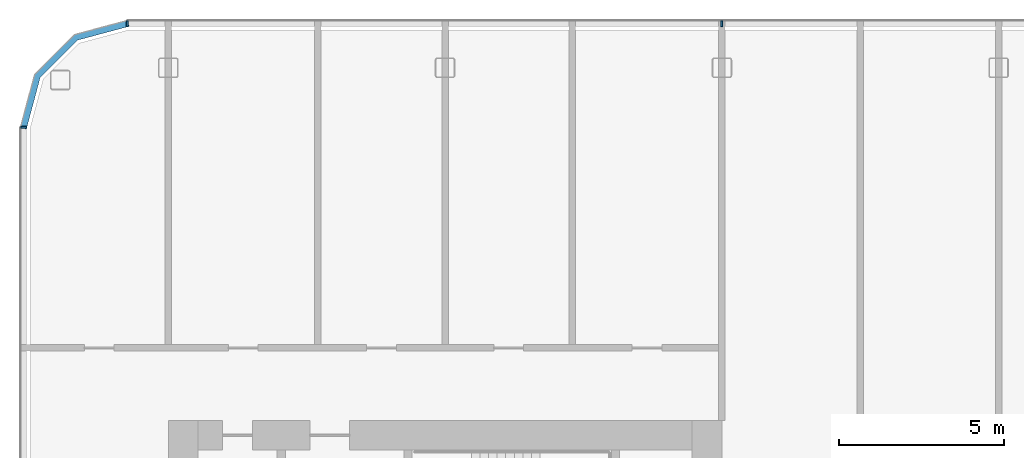
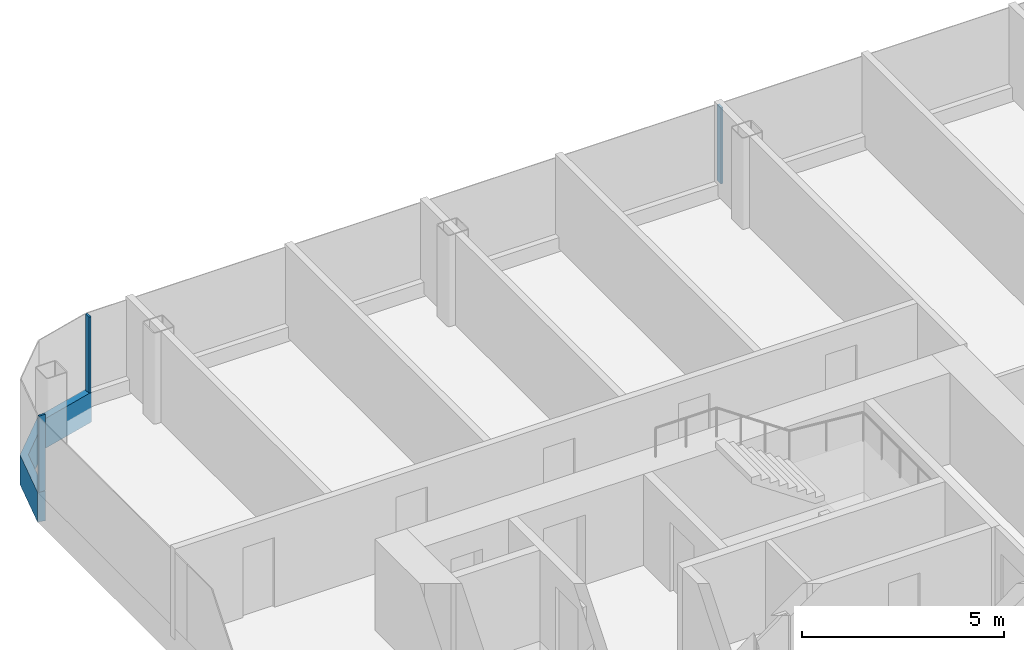
# One storey, part 6 of 26: 4 members, 3 elements without a shape of their own.
"""IFC4 building model written with IfcOpenShell, lengths in metres."""

from ifc_helpers import new_model, si_unit, direction, frame, origin, origin_2d, place, context, subcontext, project, spatial, polyline, rectangle, outline, extrude, material, layer, layer_set, material_profile, profile_set, type_object, element, aggregate, save


model = new_model("IFC4")

# Units and contexts
model_context = context("Model", 3, precision=1e-05, world=origin(), true_north=direction((0.0, 1.0)))
body_context = subcontext(model_context, "Body", "Model", "MODEL_VIEW")
ifc_project = project(units=[si_unit("LENGTHUNIT", "METRE"), si_unit("AREAUNIT", "SQUARE_METRE"), si_unit("VOLUMEUNIT", "CUBIC_METRE"), si_unit("PLANEANGLEUNIT", "RADIAN"), si_unit("MASSUNIT", "GRAM", prefix="KILO")], contexts=[model_context])

# Site, building, storey
site_placement = place(None, origin())
site = spatial("IfcSite", under=ifc_project, at=site_placement, CompositionType="ELEMENT")
building_placement = place(site_placement, origin())
building = spatial("IfcBuilding", under=site, at=building_placement, Name="Hakoniwa Tower and Hamabe Station Hall", CompositionType="ELEMENT")
storey_placement = place(building_placement, frame((0.0, 0.0, 212.199951171875)))
storey = spatial("IfcBuildingStorey", under=building, at=storey_placement, Name="L60", CompositionType="ELEMENT", Elevation=212.199951171875)

# Curtain wall, member
ifc_material_1 = material(Name="Dark low-e laminated glass", Category="glass")
ifc_layer = layer(ifc_material_1, 0.199951171875)
ifc_layer_set = layer_set([ifc_layer], Name="CW-1 UNITISED GUEST")
curtain_wall_type = type_object("IfcCurtainWallType", Name="CW-1 UNITISED GUEST", PredefinedType="NOTDEFINED", material=ifc_layer_set)
curtain_wall_1_placement = place(storey_placement, origin())
curtain_wall_1 = element("IfcCurtainWall", 1, at=curtain_wall_1_placement, inside=storey, type_object=curtain_wall_type, Name="CW-1 curtain wall", PredefinedType="NOTDEFINED")
ifc_material_2 = material(Name="Aluminium 6063-T5 black anodised", Category="aluminium")
ifc_material_profile_1 = material_profile(ifc_material_2, rectangle(XDim=0.199951171875, YDim=0.89990234375, at=origin_2d()), Name="CW SLAB-EDGE BAND 900X200")
ifc_profile_set_1 = profile_set([ifc_material_profile_1], Name="Aluminium 6063-T5 black anodised")
member_type_1 = type_object("IfcMemberType", Name="CW SLAB-EDGE BAND 900X200", PredefinedType="USERDEFINED", material=ifc_profile_set_1)
member_1_placement = place(storey_placement, frame((0.0, 0.0, -0.550048828125)))
member_1 = element("IfcMember", 2, at=member_1_placement, type_object=member_type_1, Name="CW-1 transom", ObjectType="TRANSOM", PredefinedType="USERDEFINED", context=body_context, shape_type="SweptSolid", body=[
    extrude(outline(polyline([(-34.839599609375, 20.550048828125), (-36.455322265625, 20.116943359375), (-37.6669921875, 18.9052734375), (-38.10009765625, 17.28955078125), (-37.90673828125, 17.23779296875), (-37.48779296875, 18.8017578125), (-36.351806640625, 19.937744140625), (-34.787841796875, 20.35693359375), (-34.839599609375, 20.550048828125)])), origin(), (0.0, 0.0, 1.0), 0.900146484375),
])
aggregate(curtain_wall_1, [member_1])

# Curtain wall, members
curtain_wall_2_placement = place(storey_placement, origin())
curtain_wall_2 = element("IfcCurtainWall", 3, at=curtain_wall_2_placement, inside=storey, type_object=curtain_wall_type, Name="CW-1 curtain wall", PredefinedType="NOTDEFINED")
ifc_material_3 = material(Name="Aluminium 6063-T5 black anodised", Category="aluminium")
ifc_material_profile_2 = material_profile(ifc_material_3, rectangle(XDim=0.06005859375, YDim=0.179931640625, at=origin_2d()), Name="CW-1 MULLION 60X180")
ifc_profile_set_2 = profile_set([ifc_material_profile_2], Name="Aluminium 6063-T5 black anodised")
member_type_2 = type_object("IfcMemberType", Name="CW-1 MULLION 60X180", PredefinedType="MULLION", material=ifc_profile_set_2)
member_2_placement = place(storey_placement, frame((-16.800048828125, 20.431884765625, 0.35009765625), z_axis=(0.0, 0.0, 1.0), x_axis=(-1.0, 0.0, 0.0)))
member_2 = element("IfcMember", 4, at=member_2_placement, type_object=member_type_2, Name="CW-1 mullion", PredefinedType="MULLION", context=body_context, shape_type="SweptSolid", body=[
    extrude(rectangle(XDim=0.06005859375, YDim=0.179931640625, at=origin_2d()), origin(), (0.0, 0.0, 1.0), 2.300048828125),
])
member_3_placement = place(storey_placement, frame((-34.839599609375, 20.431884765625, 0.35009765625), z_axis=(0.0, 0.0, 1.0), x_axis=(-1.0, 0.0, 0.0)))
member_3 = element("IfcMember", 5, at=member_3_placement, type_object=member_type_2, Name="CW-1 mullion", PredefinedType="MULLION", context=body_context, shape_type="SweptSolid", body=[
    extrude(rectangle(XDim=0.06005859375, YDim=0.179931640625, at=origin_2d()), origin(), (0.0, 0.0, 1.0), 2.300048828125),
])
aggregate(curtain_wall_2, [member_2, member_3])

# Curtain wall, member
curtain_wall_3_placement = place(storey_placement, origin())
curtain_wall_3 = element("IfcCurtainWall", 6, at=curtain_wall_3_placement, inside=storey, type_object=curtain_wall_type, Name="CW-1 curtain wall", PredefinedType="NOTDEFINED")
member_4_placement = place(storey_placement, frame((-37.98193359375, 17.28955078125, 0.35009765625), z_axis=(0.0, 0.0, 1.0), x_axis=(0.0, -1.0, 0.0)))
member_4 = element("IfcMember", 7, at=member_4_placement, type_object=member_type_2, Name="CW-1 mullion", PredefinedType="MULLION", context=body_context, shape_type="SweptSolid", body=[
    extrude(rectangle(XDim=0.06005859375, YDim=0.179931640625, at=origin_2d()), origin(), (0.0, 0.0, 1.0), 2.300048828125),
])
aggregate(curtain_wall_3, [member_4])

save(model, "model.ifc")
